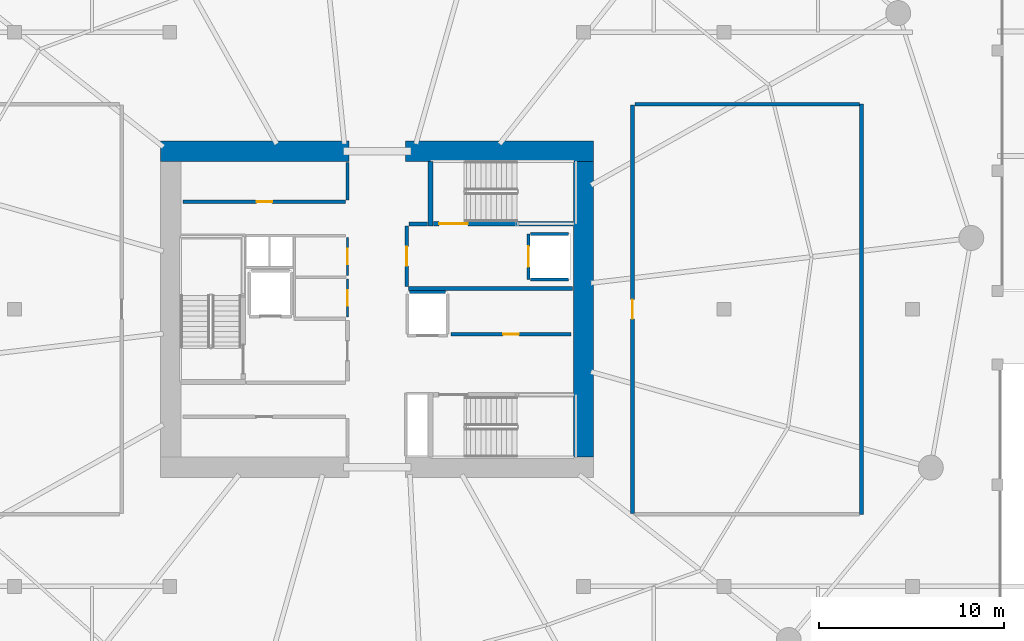
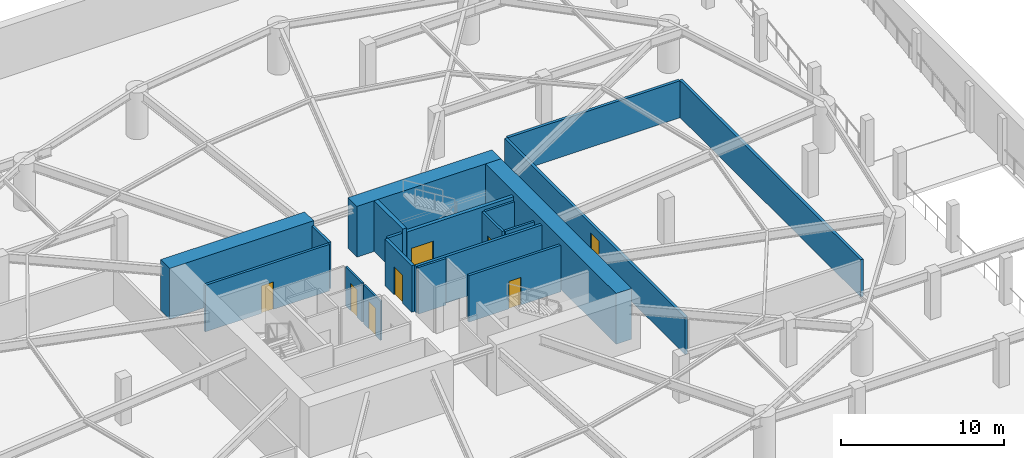
# One storey, part 10 of 13: 20 walls, 8 doors, 8 openings.
"""IFC4 building model written with IfcOpenShell, lengths in metres."""

from ifc_helpers import new_model, si_unit, direction, frame, frame_2d, origin, place, context, subcontext, project, spatial, rectangle, extrude, material, layer, layer_set, type_object, element, fill, save


model = new_model("IFC4")

# Units and contexts
model_context = context("Model", 3, precision=1e-05, world=origin(), true_north=direction((0.0, 1.0)))
body_context = subcontext(model_context, "Body", "Model", "MODEL_VIEW")
ifc_project = project(units=[si_unit("LENGTHUNIT", "METRE"), si_unit("AREAUNIT", "SQUARE_METRE"), si_unit("VOLUMEUNIT", "CUBIC_METRE"), si_unit("PLANEANGLEUNIT", "RADIAN"), si_unit("MASSUNIT", "GRAM", prefix="KILO")], contexts=[model_context])

# Site, building, storey
site_placement = place(None, origin())
site = spatial("IfcSite", under=ifc_project, at=site_placement, CompositionType="ELEMENT")
building_placement = place(site_placement, origin())
building = spatial("IfcBuilding", under=site, at=building_placement, Name="Kazma Halo Residences", CompositionType="ELEMENT")
storey_placement = place(building_placement, frame((0.0, 0.0, -3.800048828125)))
storey = spatial("IfcBuildingStorey", under=building, at=storey_placement, Name="B01", CompositionType="ELEMENT", Elevation=-3.800048828125)

# Walls
ifc_material_1 = material(Name="Concrete C80/95", Category="concrete")
ifc_layer_1 = layer(ifc_material_1, 1.10009765625)
ifc_layer_set_1 = layer_set([ifc_layer_1], Name="Concrete C80/95")
wall_type_1 = type_object("IfcWallType", Name="WL-CORE-1100", PredefinedType="SHEAR", material=ifc_layer_set_1)
for number, where, z_axis, x_axis, name in (
    (1, (36.699951171875, 50.550048828125, 0.0), (0.0, 0.0, 1.0), (1.0, 0.0, 0.0), "B01 central core shear wall NW"),
    (2, (49.949951171875, 50.550048828125, 0.0), (0.0, 0.0, 1.0), (1.0, 0.0, 0.0), "B01 central core shear wall NE"),
):
    element("IfcWall", number, at=place(storey_placement, frame(where, z_axis=z_axis, x_axis=x_axis)), inside=storey, type_object=wall_type_1, Name=name, PredefinedType="SHEAR", context=body_context, shape_type="SweptSolid", body=[
        extrude(rectangle(XDim=10.199951171875, YDim=1.10009765625, at=frame_2d((5.10009765625, 0.0))), origin(), (0.0, 0.0, 1.0), 3.800048828125),
    ])
wall_1_placement = place(storey_placement, frame((59.60009765625, 34.0, 0.0), z_axis=(0.0, 0.0, 1.0), x_axis=(0.0, 1.0, 0.0)))
element("IfcWall", 3, at=wall_1_placement, inside=storey, type_object=wall_type_1, Name="B01 central core shear wall E", PredefinedType="SHEAR", context=body_context, shape_type="SweptSolid", body=[
    extrude(rectangle(XDim=16.0, YDim=1.10009765625, at=frame_2d((8.0, 0.0))), origin(), (0.0, 0.0, 1.0), 3.800048828125),
])
ifc_material_2 = material(Name="Concrete C60/75", Category="concrete")
ifc_layer_2 = layer(ifc_material_2, 0.280029296875)
ifc_layer_set_2 = layer_set([ifc_layer_2], Name="Concrete C60/75")
wall_type_2 = type_object("IfcWallType", Name="WL-CORE-ST-280", PredefinedType="SHEAR", material=ifc_layer_set_2)
wall_2_placement = place(storey_placement, frame((51.31005859375, 46.5, 0.0), z_axis=(0.0, 0.0, 1.0), x_axis=(0.0, 1.0, 0.0)))
element("IfcWall", 4, at=wall_2_placement, inside=storey, type_object=wall_type_2, Name="B01 stairwell bearing wall ST02-W", PredefinedType="SHEAR", context=body_context, shape_type="SweptSolid", body=[
    extrude(rectangle(XDim=3.5, YDim=0.280029296875, at=frame_2d((1.75, 0.0))), origin(), (0.0, 0.0, 1.0), 3.800048828125),
])

# Wall, opening, door
ifc_material_3 = material(Name="Fire-Rated Blockwork Masonry", Category="masonry")
ifc_layer_3 = layer(ifc_material_3, 0.199951171875)
ifc_layer_set_3 = layer_set([ifc_layer_3], Name="Fire-Rated Blockwork Masonry")
wall_type_3 = type_object("IfcWallType", Name="WL-FLB-200", PredefinedType="PARTITIONING", material=ifc_layer_set_3)
wall_3_placement = place(storey_placement, frame((56.6201171875, 46.080078125, 0.0), z_axis=(0.0, 0.0, 1.0), x_axis=(0.0, -1.0, 0.0)))
wall_3 = element("IfcWall", 5, at=wall_3_placement, inside=storey, type_object=wall_type_3, Name="B01 lift shaft FL-02 front wall", PredefinedType="PARTITIONING", context=body_context, shape_type="SweptSolid", body=[
    extrude(rectangle(XDim=2.4599609375, YDim=0.159912109375, at=frame_2d((1.22998046875, 0.0))), origin(), (0.0, 0.0, 1.0), 3.47998046875),
])
opening_1_placement = place(wall_3_placement, frame((0.679931640625, 0.0, 0.0)))
opening_1 = element("IfcOpeningElement", 6, at=opening_1_placement, cuts=wall_3, Name="Opening LD-FL-02", PredefinedType="OPENING", context=body_context, shape_type="SweptSolid", body=[
    extrude(rectangle(XDim=1.10009765625, YDim=2.10009765625, at=frame_2d((0.550048828125, 1.050048828125))), frame((0.0, 0.08984375, 0.0), z_axis=(0.0, -1.0, 0.0), x_axis=(1.0, 0.0, 0.0)), (0.0, 0.0, 1.0), 0.179931640625),
])
ifc_material_4 = material(Name="Stainless Steel Fire-Rated", Category="steel")
door_type_1 = type_object("IfcDoorType", Name="DR-LIFT-SLD-1100", OperationType="DOUBLE_DOOR_SLIDING", PredefinedType="DOOR", material=ifc_material_4)
door_1_placement = place(opening_1_placement, origin())
door_1 = element("IfcDoor", 7, at=door_1_placement, inside=storey, type_object=door_type_1, Name="B01 lift FL-02 sliding landing door", OperationType="DOUBLE_DOOR_SLIDING", OverallHeight=2.10009765625, OverallWidth=1.10009765625, PredefinedType="DOOR", context=body_context, shape_type="SweptSolid", body=[
    extrude(rectangle(XDim=1.10009765625, YDim=2.10009765625, at=frame_2d((0.550048828125, 1.050048828125))), frame((0.0, 0.02490234375, 0.0), z_axis=(0.0, -1.0, 0.0), x_axis=(1.0, 0.0, 0.0)), (0.0, 0.0, 1.0), 0.050048828125),
])
fill(opening_1, door_1)

# Walls
for number, where, z_axis, x_axis, name in (
    (8, (56.719970703125, 46.080078125, 0.0), (0.0, 0.0, 1.0), (1.0, 0.0, 0.0), "B01 lift shaft FL-02 side wall N"),
    (9, (56.719970703125, 43.6201171875, 0.0), (0.0, 0.0, 1.0), (1.0, 0.0, 0.0), "B01 lift shaft FL-02 side wall S"),
):
    element("IfcWall", number, at=place(storey_placement, frame(where, z_axis=z_axis, x_axis=x_axis)), inside=storey, type_object=wall_type_3, Name=name, PredefinedType="PARTITIONING", context=body_context, shape_type="SweptSolid", body=[
        extrude(rectangle(XDim=2.06005859375, YDim=0.159912109375, at=frame_2d((1.030029296875, 0.0))), origin(), (0.0, 0.0, 1.0), 3.47998046875),
    ])
wall_4_placement = place(storey_placement, frame((50.169921875, 42.929931640625, 0.0), z_axis=(0.0, 0.0, 1.0), x_axis=(1.0, 0.0, 0.0)))
element("IfcWall", 10, at=wall_4_placement, inside=storey, type_object=wall_type_3, Name="B01 lift shaft SV-01 side wall N", PredefinedType="PARTITIONING", context=body_context, shape_type="SweptSolid", body=[
    extrude(rectangle(XDim=1.9599609375, YDim=0.159912109375, at=frame_2d((0.97998046875, 0.0))), origin(), (0.0, 0.0, 1.0), 3.47998046875),
])

# Wall, opening, door
wall_5_placement = place(storey_placement, frame((37.919921875, 47.820068359375, 0.0), z_axis=(0.0, 0.0, 1.0), x_axis=(1.0, 0.0, 0.0)))
wall_5 = element("IfcWall", 11, at=wall_5_placement, inside=storey, type_object=wall_type_3, Name="B01 core north reserve wall", PredefinedType="PARTITIONING", context=body_context, shape_type="SweptSolid", body=[
    extrude(rectangle(XDim=8.800048828125, YDim=0.179931640625, at=frame_2d((4.39990234375, 0.0))), origin(), (0.0, 0.0, 1.0), 3.47998046875),
])
opening_2_placement = place(wall_5_placement, frame((3.97509765625, 0.0, 0.0)))
opening_2 = element("IfcOpeningElement", 12, at=opening_2_placement, cuts=wall_5, Name="Opening DS-850", PredefinedType="OPENING", context=body_context, shape_type="SweptSolid", body=[
    extrude(rectangle(XDim=0.85009765625, YDim=2.06005859375, at=frame_2d((0.425048828125, 1.030029296875))), frame((0.0, 0.099853515625, 0.0), z_axis=(0.0, -1.0, 0.0), x_axis=(1.0, 0.0, 0.0)), (0.0, 0.0, 1.0), 0.199951171875),
])
ifc_material_5 = material(Name="Painted Steel Access Leaf", Category="steel")
door_type_2 = type_object("IfcDoorType", Name="DR-SVC-850", OperationType="NOTDEFINED", PredefinedType="DOOR", material=ifc_material_5)
door_2_placement = place(opening_2_placement, origin())
door_2 = element("IfcDoor", 13, at=door_2_placement, inside=storey, type_object=door_type_2, Name="B01 core north reserve door", OperationType="SINGLE_SWING_LEFT", OverallHeight=2.06005859375, OverallWidth=0.85009765625, PredefinedType="DOOR", context=body_context, shape_type="SweptSolid", body=[
    extrude(rectangle(XDim=0.85009765625, YDim=2.06005859375, at=frame_2d((0.425048828125, 1.030029296875))), frame((0.0, 0.02490234375, 0.0), z_axis=(0.0, -1.0, 0.0), x_axis=(1.0, 0.0, 0.0)), (0.0, 0.0, 1.0), 0.050048828125),
])
fill(opening_2, door_2)

# Wall
wall_6_placement = place(storey_placement, frame((46.820068359375, 47.919921875, 0.0), z_axis=(0.0, 0.0, 1.0), x_axis=(0.0, 1.0, 0.0)))
element("IfcWall", 14, at=wall_6_placement, inside=storey, type_object=wall_type_3, Name="B01 core smoke east wall", PredefinedType="PARTITIONING", context=body_context, shape_type="SweptSolid", body=[
    extrude(rectangle(XDim=2.030029296875, YDim=0.179931640625, at=frame_2d((1.01513671875, 0.0))), origin(), (0.0, 0.0, 1.0), 3.47998046875),
])

# Wall, opening, door
wall_7_placement = place(storey_placement, frame((52.419921875, 40.64990234375, 0.0), z_axis=(0.0, 0.0, 1.0), x_axis=(1.0, 0.0, 0.0)))
wall_7 = element("IfcWall", 15, at=wall_7_placement, inside=storey, type_object=wall_type_3, Name="B01 core east reserve wall", PredefinedType="PARTITIONING", context=body_context, shape_type="SweptSolid", body=[
    extrude(rectangle(XDim=6.5, YDim=0.179931640625, at=frame_2d((3.25, 0.0))), origin(), (0.0, 0.0, 1.0), 3.47998046875),
])
opening_3_placement = place(wall_7_placement, frame((2.824951171875, 0.0, 0.0)))
opening_3 = element("IfcOpeningElement", 16, at=opening_3_placement, cuts=wall_7, Name="Opening DS-850", PredefinedType="OPENING", context=body_context, shape_type="SweptSolid", body=[
    extrude(rectangle(XDim=0.85009765625, YDim=2.06005859375, at=frame_2d((0.425048828125, 1.030029296875))), frame((0.0, 0.099853515625, 0.0), z_axis=(0.0, -1.0, 0.0), x_axis=(1.0, 0.0, 0.0)), (0.0, 0.0, 1.0), 0.199951171875),
])
door_3_placement = place(opening_3_placement, origin())
door_3 = element("IfcDoor", 17, at=door_3_placement, inside=storey, type_object=door_type_2, Name="B01 core east reserve door", OperationType="SINGLE_SWING_RIGHT", OverallHeight=2.06005859375, OverallWidth=0.85009765625, PredefinedType="DOOR", context=body_context, shape_type="SweptSolid", body=[
    extrude(rectangle(XDim=0.85009765625, YDim=2.06005859375, at=frame_2d((0.425048828125, 1.030029296875))), frame((0.0, 0.02490234375, 0.0), z_axis=(0.0, -1.0, 0.0), x_axis=(1.0, 0.0, 0.0)), (0.0, 0.0, 1.0), 0.050048828125),
])
fill(opening_3, door_3)

# Walls
wall_8_placement = place(storey_placement, frame((50.1201171875, 43.1201171875, 0.0), z_axis=(0.0, 0.0, 1.0), x_axis=(1.0, 0.0, 0.0)))
element("IfcWall", 18, at=wall_8_placement, inside=storey, type_object=wall_type_3, Name="B01 east firefighting lobby south smoke wall", PredefinedType="PARTITIONING", context=body_context, shape_type="SweptSolid", body=[
    extrude(rectangle(XDim=8.8798828125, YDim=0.199951171875, at=frame_2d((4.43994140625, 0.0))), origin(), (0.0, 0.0, 1.0), 3.47998046875),
])
wall_9_placement = place(storey_placement, frame((50.139892578125, 46.6201171875, 0.0), z_axis=(0.0, 0.0, 1.0), x_axis=(1.0, 0.0, 0.0)))
element("IfcWall", 19, at=wall_9_placement, inside=storey, type_object=wall_type_3, Name="B01 east firefighting lobby north closure wall", PredefinedType="PARTITIONING", context=body_context, shape_type="SweptSolid", body=[
    extrude(rectangle(XDim=1.02001953125, YDim=0.199951171875, at=frame_2d((0.510009765625, 0.0))), origin(), (0.0, 0.0, 1.0), 3.47998046875),
])

# Wall, opening, door
wall_10_placement = place(storey_placement, frame((50.02001953125, 43.219970703125, 0.0), z_axis=(0.0, 0.0, 1.0), x_axis=(0.0, 1.0, 0.0)))
wall_10 = element("IfcWall", 20, at=wall_10_placement, inside=storey, type_object=wall_type_3, Name="B01 east firefighting lobby smoke wall", PredefinedType="PARTITIONING", context=body_context, shape_type="SweptSolid", body=[
    extrude(rectangle(XDim=3.300048828125, YDim=0.199951171875, at=frame_2d((1.64990234375, 0.0))), origin(), (0.0, 0.0, 1.0), 3.47998046875),
])
opening_4_placement = place(wall_10_placement, frame((1.125, 0.0, 0.0)))
opening_4 = element("IfcOpeningElement", 21, at=opening_4_placement, cuts=wall_10, Name="Opening D-FLE", PredefinedType="OPENING", context=body_context, shape_type="SweptSolid", body=[
    extrude(rectangle(XDim=1.050048828125, YDim=2.10009765625, at=frame_2d((0.52490234375, 1.050048828125))), frame((0.0, 0.10986328125, 0.0), z_axis=(0.0, -1.0, 0.0), x_axis=(1.0, 0.0, 0.0)), (0.0, 0.0, 1.0), 0.219970703125),
])
ifc_material_6 = material(Name="Fire-Rated Steel Leaf", Category="steel")
door_type_3 = type_object("IfcDoorType", Name="DR-FD90-1050", OperationType="NOTDEFINED", PredefinedType="DOOR", material=ifc_material_6)
door_4_placement = place(opening_4_placement, origin())
door_4 = element("IfcDoor", 22, at=door_4_placement, inside=storey, type_object=door_type_3, Name="B01 east firefighting lobby smoke door", OperationType="SINGLE_SWING_LEFT", OverallHeight=2.10009765625, OverallWidth=1.050048828125, PredefinedType="DOOR", context=body_context, shape_type="SweptSolid", body=[
    extrude(rectangle(XDim=1.050048828125, YDim=2.10009765625, at=frame_2d((0.52490234375, 1.050048828125))), frame((0.0, 0.02490234375, 0.0), z_axis=(0.0, -1.0, 0.0), x_axis=(1.0, 0.0, 0.0)), (0.0, 0.0, 1.0), 0.050048828125),
])
fill(opening_4, door_4)

# Walls
wall_11_placement = place(storey_placement, frame((74.64990234375, 30.89990234375, 0.0), z_axis=(0.0, 0.0, 1.0), x_axis=(0.0, 1.0, 0.0)))
element("IfcWall", 23, at=wall_11_placement, inside=storey, type_object=wall_type_3, Name="B01 east pump plant east wall", PredefinedType="PARTITIONING", context=body_context, shape_type="SweptSolid", body=[
    extrude(rectangle(XDim=22.2001953125, YDim=0.199951171875, at=frame_2d((11.10009765625, 0.0))), origin(), (0.0, 0.0, 1.0), 2.77099609375),
])
wall_12_placement = place(storey_placement, frame((62.3701171875, 53.10009765625, 0.0), z_axis=(0.0, 0.0, 1.0), x_axis=(1.0, 0.0, 0.0)))
element("IfcWall", 24, at=wall_12_placement, inside=storey, type_object=wall_type_3, Name="B01 east pump plant north wall", PredefinedType="PARTITIONING", context=body_context, shape_type="SweptSolid", body=[
    extrude(rectangle(XDim=12.159912109375, YDim=0.199951171875, at=frame_2d((6.080078125, 0.0))), origin(), (0.0, 0.0, 1.0), 2.77099609375),
])

# Wall, opening, door
wall_13_placement = place(storey_placement, frame((62.25, 30.949951171875, 0.0), z_axis=(0.0, 0.0, 1.0), x_axis=(0.0, 1.0, 0.0)))
wall_13 = element("IfcWall", 25, at=wall_13_placement, inside=storey, type_object=wall_type_3, Name="B01 basement plant room E fire wall", PredefinedType="PARTITIONING", context=body_context, shape_type="SweptSolid", body=[
    extrude(rectangle(XDim=22.10009765625, YDim=0.199951171875, at=frame_2d((11.050048828125, 0.0))), origin(), (0.0, 0.0, 1.0), 2.77099609375),
])
opening_5_placement = place(wall_13_placement, frame((10.52490234375, 0.0, 0.0)))
opening_5 = element("IfcOpeningElement", 26, at=opening_5_placement, cuts=wall_13, Name="Opening DF-1050", PredefinedType="OPENING", context=body_context, shape_type="SweptSolid", body=[
    extrude(rectangle(XDim=1.050048828125, YDim=2.10009765625, at=frame_2d((0.52490234375, 1.050048828125))), frame((0.0, 0.10986328125, 0.0), z_axis=(0.0, -1.0, 0.0), x_axis=(1.0, 0.0, 0.0)), (0.0, 0.0, 1.0), 0.219970703125),
])
door_5_placement = place(opening_5_placement, origin())
door_5 = element("IfcDoor", 27, at=door_5_placement, inside=storey, type_object=door_type_3, Name="B01 basement plant E personnel door", OperationType="SINGLE_SWING_LEFT", OverallHeight=2.10009765625, OverallWidth=1.050048828125, PredefinedType="DOOR", context=body_context, shape_type="SweptSolid", body=[
    extrude(rectangle(XDim=1.050048828125, YDim=2.10009765625, at=frame_2d((0.52490234375, 1.050048828125))), frame((0.0, 0.02490234375, 0.0), z_axis=(0.0, -1.0, 0.0), x_axis=(1.0, 0.0, 0.0)), (0.0, 0.0, 1.0), 0.050048828125),
])
fill(opening_5, door_5)

ifc_material_7 = material(Name="Gypsum Plasterboard Partition")
ifc_layer_4 = layer(ifc_material_7, 0.125)
ifc_layer_set_4 = layer_set([ifc_layer_4], Name="Gypsum Plasterboard Partition")
wall_type_4 = type_object("IfcWallType", Name="WL-PART-125", PredefinedType="PARTITIONING", material=ifc_layer_set_4)
wall_14_placement = place(storey_placement, frame((46.820068359375, 41.580078125, 0.0), z_axis=(0.0, 0.0, 1.0), x_axis=(0.0, 1.0, 0.0)))
wall_14 = element("IfcWall", 28, at=wall_14_placement, inside=storey, type_object=wall_type_4, Name="B01 electrical switch room east wall", PredefinedType="PARTITIONING", context=body_context, shape_type="SweptSolid", body=[
    extrude(rectangle(XDim=2.0498046875, YDim=0.125, at=frame_2d((1.02490234375, 0.0))), origin(), (0.0, 0.0, 1.0), 2.920166015625),
])
opening_6_placement = place(wall_14_placement, frame((0.60009765625, 0.0, 0.0)))
opening_6 = element("IfcOpeningElement", 29, at=opening_6_placement, cuts=wall_14, Name="Opening DS-850", PredefinedType="OPENING", context=body_context, shape_type="SweptSolid", body=[
    extrude(rectangle(XDim=0.85009765625, YDim=2.06005859375, at=frame_2d((0.425048828125, 1.030029296875))), frame((0.0, 0.072509765625, 0.0), z_axis=(0.0, -1.0, 0.0), x_axis=(1.0, 0.0, 0.0)), (0.0, 0.0, 1.0), 0.14501953125),
])
door_6_placement = place(opening_6_placement, origin())
door_6 = element("IfcDoor", 30, at=door_6_placement, inside=storey, type_object=door_type_2, Name="B01 electrical switch room door", OperationType="SINGLE_SWING_RIGHT", OverallHeight=2.06005859375, OverallWidth=0.85009765625, PredefinedType="DOOR", context=body_context, shape_type="SweptSolid", body=[
    extrude(rectangle(XDim=0.85009765625, YDim=2.06005859375, at=frame_2d((0.425048828125, 1.030029296875))), frame((0.0, 0.02490234375, 0.0), z_axis=(0.0, -1.0, 0.0), x_axis=(1.0, 0.0, 0.0)), (0.0, 0.0, 1.0), 0.050048828125),
])
fill(opening_6, door_6)

wall_15_placement = place(storey_placement, frame((46.820068359375, 43.830078125, 0.0), z_axis=(0.0, 0.0, 1.0), x_axis=(0.0, 1.0, 0.0)))
wall_15 = element("IfcWall", 31, at=wall_15_placement, inside=storey, type_object=wall_type_4, Name="B01 telecom IDF room east wall", PredefinedType="PARTITIONING", context=body_context, shape_type="SweptSolid", body=[
    extrude(rectangle(XDim=2.0498046875, YDim=0.125, at=frame_2d((1.02490234375, 0.0))), origin(), (0.0, 0.0, 1.0), 2.920166015625),
])
opening_7_placement = place(wall_15_placement, frame((0.60009765625, 0.0, 0.0)))
opening_7 = element("IfcOpeningElement", 32, at=opening_7_placement, cuts=wall_15, Name="Opening DS-850", PredefinedType="OPENING", context=body_context, shape_type="SweptSolid", body=[
    extrude(rectangle(XDim=0.85009765625, YDim=2.06005859375, at=frame_2d((0.425048828125, 1.030029296875))), frame((0.0, 0.072509765625, 0.0), z_axis=(0.0, -1.0, 0.0), x_axis=(1.0, 0.0, 0.0)), (0.0, 0.0, 1.0), 0.14501953125),
])
door_7_placement = place(opening_7_placement, origin())
door_7 = element("IfcDoor", 33, at=door_7_placement, inside=storey, type_object=door_type_2, Name="B01 telecom IDF room door", OperationType="SINGLE_SWING_LEFT", OverallHeight=2.06005859375, OverallWidth=0.85009765625, PredefinedType="DOOR", context=body_context, shape_type="SweptSolid", body=[
    extrude(rectangle(XDim=0.85009765625, YDim=2.06005859375, at=frame_2d((0.425048828125, 1.030029296875))), frame((0.0, 0.02490234375, 0.0), z_axis=(0.0, -1.0, 0.0), x_axis=(1.0, 0.0, 0.0)), (0.0, 0.0, 1.0), 0.050048828125),
])
fill(opening_7, door_7)

ifc_material_8 = material(Name="Concrete C50/60", Category="concrete")
ifc_layer_5 = layer(ifc_material_8, 0.25)
ifc_layer_set_5 = layer_set([ifc_layer_5], Name="Concrete C50/60")
wall_type_5 = type_object("IfcWallType", Name="WL-SHF-250", PredefinedType="SOLIDWALL", material=ifc_layer_set_5)
wall_16_placement = place(storey_placement, frame((51.47998046875, 46.6201171875, 0.0), z_axis=(0.0, 0.0, 1.0), x_axis=(1.0, 0.0, 0.0)))
wall_16 = element("IfcWall", 34, at=wall_16_placement, inside=storey, type_object=wall_type_5, Name="B01 exit stair ST-02 enclosure wall", PredefinedType="SOLIDWALL", context=body_context, shape_type="SweptSolid", body=[
    extrude(rectangle(XDim=7.5400390625, YDim=0.25, at=frame_2d((3.77001953125, 0.0))), origin(), (0.0, 0.0, 1.0), 3.47998046875),
])
opening_8_placement = place(wall_16_placement, frame((0.300048828125, 0.0, 0.0)))
opening_8 = element("IfcOpeningElement", 35, at=opening_8_placement, cuts=wall_16, Name="Opening D-ST2", PredefinedType="OPENING", context=body_context, shape_type="SweptSolid", body=[
    extrude(rectangle(XDim=1.550048828125, YDim=2.14990234375, at=frame_2d((0.77490234375, 1.074951171875))), frame((0.0, 0.135009765625, 0.0), z_axis=(0.0, -1.0, 0.0), x_axis=(1.0, 0.0, 0.0)), (0.0, 0.0, 1.0), 0.27001953125),
])
ifc_material_9 = material(Name="Fire-Rated Double Steel Leaf", Category="steel")
door_type_4 = type_object("IfcDoorType", Name="DR-FD90-1550", OperationType="NOTDEFINED", PredefinedType="DOOR", material=ifc_material_9)
door_8_placement = place(opening_8_placement, origin())
door_8 = element("IfcDoor", 36, at=door_8_placement, inside=storey, type_object=door_type_4, Name="B01 exit stair ST-02 fire door", OperationType="DOUBLE_DOOR_SINGLE_SWING", OverallHeight=2.14990234375, OverallWidth=1.550048828125, PredefinedType="DOOR", context=body_context, shape_type="SweptSolid", body=[
    extrude(rectangle(XDim=1.550048828125, YDim=2.14990234375, at=frame_2d((0.77490234375, 1.074951171875))), frame((0.0, 0.02490234375, 0.0), z_axis=(0.0, -1.0, 0.0), x_axis=(1.0, 0.0, 0.0)), (0.0, 0.0, 1.0), 0.050048828125),
])
fill(opening_8, door_8)

save(model, "model.ifc")
